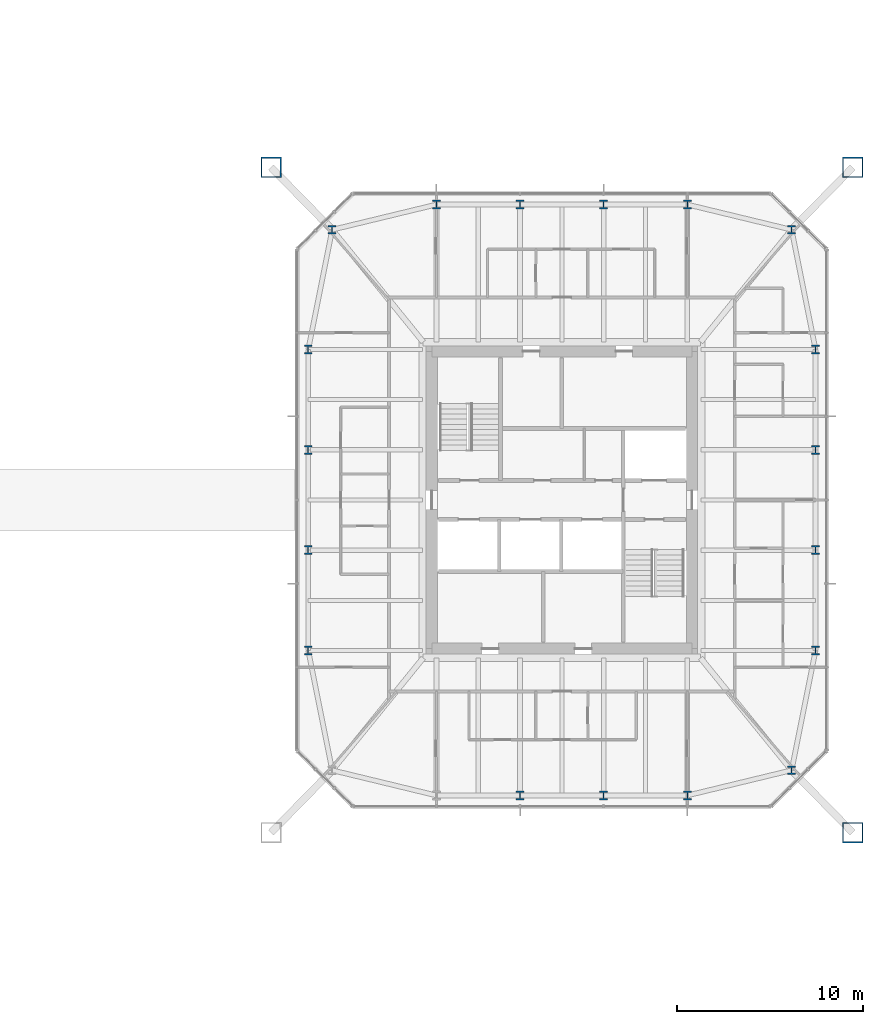
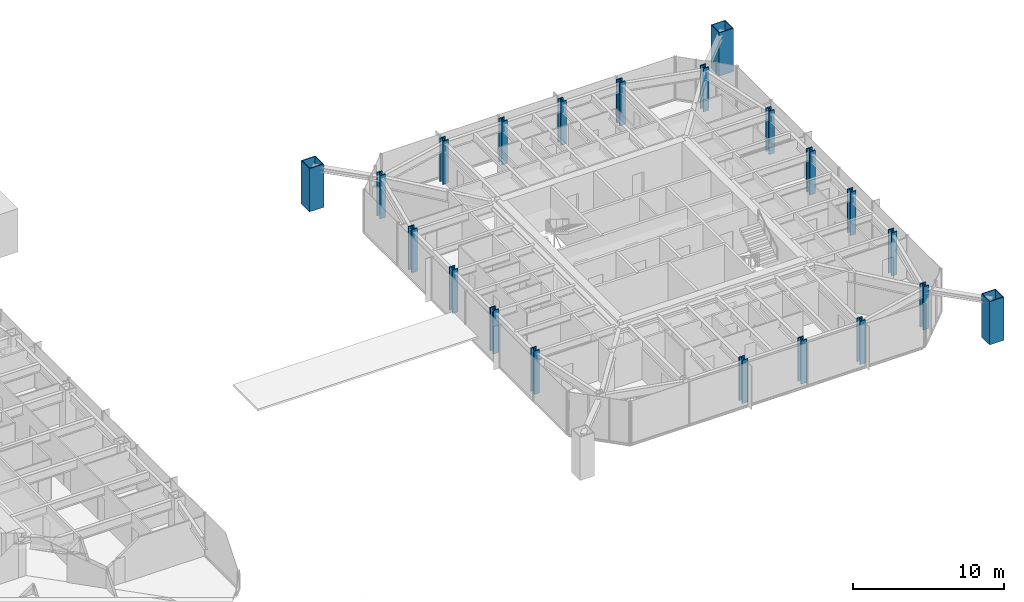
# One storey, part 2 of 25: 21 columns.
"""IFC4 building model written with IfcOpenShell, lengths in metres."""

from ifc_helpers import new_model, si_unit, direction, frame, origin, origin_2d, place, context, subcontext, project, spatial, hollow_rectangle, i_section, extrude, material, material_profile, profile_set, type_object, element, save


model = new_model("IFC4")

# Units and contexts
model_context = context("Model", 3, precision=1e-05, world=origin(), true_north=direction((0.0, 1.0)))
body_context = subcontext(model_context, "Body", "Model", "MODEL_VIEW")
ifc_project = project(units=[si_unit("LENGTHUNIT", "METRE"), si_unit("AREAUNIT", "SQUARE_METRE"), si_unit("VOLUMEUNIT", "CUBIC_METRE"), si_unit("PLANEANGLEUNIT", "RADIAN"), si_unit("MASSUNIT", "GRAM", prefix="KILO")], contexts=[model_context])

# Site, building, storey
site_placement = place(None, origin())
site = spatial("IfcSite", under=ifc_project, at=site_placement, CompositionType="ELEMENT")
building_placement = place(site_placement, origin())
building = spatial("IfcBuilding", under=site, at=building_placement, Name="Iwan Alto Co-Living Towers", CompositionType="ELEMENT")
storey_placement = place(building_placement, frame((0.0, 0.0, 101.5)))
storey = spatial("IfcBuildingStorey", under=building, at=storey_placement, Name="L27", CompositionType="ELEMENT", Elevation=101.5)

# Columns
ifc_material_1 = material(Name="Steel ASTM A572 Gr 50", Category="steel")
ifc_material_profile_1 = material_profile(ifc_material_1, hollow_rectangle(XDim=1.10009765625, YDim=1.10009765625, WallThickness=0.06005859375, at=origin_2d()), Name="BOX 1100X1100X60")
ifc_profile_set_1 = profile_set([ifc_material_profile_1], Name="Steel ASTM A572 Gr 50")
column_type_1 = type_object("IfcColumnType", Name="T2 MEGA COLUMN BOX 1100X1100X60", PredefinedType="COLUMN", material=ifc_profile_set_1)
for number, where, z_axis, x_axis, name in (
    (1, (78.64990234375, -17.89990234375, 0.0), (0.0, 0.0, 1.0), (1.0, 0.0, 0.0), "T2 mega column SE L27"),
    (2, (78.64990234375, 17.89990234375, 0.0), (0.0, 0.0, 1.0), (1.0, 0.0, 0.0), "T2 mega column NE L27"),
    (3, (47.35009765625, 17.89990234375, 0.0), (0.0, 0.0, 1.0), (1.0, 0.0, 0.0), "T2 mega column NW L27"),
):
    element("IfcColumn", number, at=place(storey_placement, frame(where, z_axis=z_axis, x_axis=x_axis)), inside=storey, type_object=column_type_1, Name=name, PredefinedType="COLUMN", context=body_context, shape_type="SweptSolid", body=[
        extrude(hollow_rectangle(XDim=1.10009765625, YDim=1.10009765625, WallThickness=0.06005859375, at=origin_2d()), origin(), (0.0, 0.0, 1.0), 3.5),
    ])
ifc_material_2 = material(Name="Steel ASTM A992 Gr 50", Category="steel")
ifc_material_profile_2 = material_profile(ifc_material_2, i_section(OverallWidth=0.4267578125, OverallDepth=0.482666015625, WebThickness=0.05126953125, FlangeThickness=0.08154296875, at=origin_2d()), Name="W14X455")
ifc_profile_set_2 = profile_set([ifc_material_profile_2], Name="Steel ASTM A992 Gr 50")
column_type_2 = type_object("IfcColumnType", Name="T2 RING COLUMN W14X455", PredefinedType="COLUMN", material=ifc_profile_set_2)
for number, where, z_axis, x_axis, name in (
    (4, (60.75, -15.89990234375, 0.0), (0.0, 0.0, 1.0), (1.0, 0.0, 0.0), "T2 ring column S2 L27"),
    (5, (65.25, -15.89990234375, 0.0), (0.0, 0.0, 1.0), (1.0, 0.0, 0.0), "T2 ring column S3 L27"),
    (6, (69.75, -15.89990234375, 0.0), (0.0, 0.0, 1.0), (1.0, 0.0, 0.0), "T2 ring column S4 L27"),
    (7, (75.361328125, -14.542724609375, 0.0), (0.0, 0.0, 1.0), (1.0, 0.0, 0.0), "T2 ring column CSE L27"),
    (8, (76.64990234375, -8.10009765625, 0.0), (0.0, 0.0, 1.0), (1.0, 0.0, 0.0), "T2 ring column E1 L27"),
    (9, (76.64990234375, -2.699951171875, 0.0), (0.0, 0.0, 1.0), (1.0, 0.0, 0.0), "T2 ring column E2 L27"),
    (10, (76.64990234375, 2.699951171875, 0.0), (0.0, 0.0, 1.0), (1.0, 0.0, 0.0), "T2 ring column E3 L27"),
    (11, (76.64990234375, 8.10009765625, 0.0), (0.0, 0.0, 1.0), (1.0, 0.0, 0.0), "T2 ring column E4 L27"),
    (12, (75.361328125, 14.542724609375, 0.0), (0.0, 0.0, 1.0), (1.0, 0.0, 0.0), "T2 ring column CNE L27"),
    (13, (69.75, 15.89990234375, 0.0), (0.0, 0.0, 1.0), (1.0, 0.0, 0.0), "T2 ring column N1 L27"),
    (14, (65.25, 15.89990234375, 0.0), (0.0, 0.0, 1.0), (1.0, 0.0, 0.0), "T2 ring column N2 L27"),
    (15, (60.75, 15.89990234375, 0.0), (0.0, 0.0, 1.0), (1.0, 0.0, 0.0), "T2 ring column N3 L27"),
    (16, (56.25, 15.89990234375, 0.0), (0.0, 0.0, 1.0), (1.0, 0.0, 0.0), "T2 ring column N4 L27"),
    (17, (50.638671875, 14.542724609375, 0.0), (0.0, 0.0, 1.0), (1.0, 0.0, 0.0), "T2 ring column CNW L27"),
    (18, (49.35009765625, 8.10009765625, 0.0), (0.0, 0.0, 1.0), (1.0, 0.0, 0.0), "T2 ring column W1 L27"),
    (19, (49.35009765625, 2.699951171875, 0.0), (0.0, 0.0, 1.0), (1.0, 0.0, 0.0), "T2 ring column W2 L27"),
    (20, (49.35009765625, -2.699951171875, 0.0), (0.0, 0.0, 1.0), (1.0, 0.0, 0.0), "T2 ring column W3 L27"),
    (21, (49.35009765625, -8.10009765625, 0.0), (0.0, 0.0, 1.0), (1.0, 0.0, 0.0), "T2 ring column W4 L27"),
):
    element("IfcColumn", number, at=place(storey_placement, frame(where, z_axis=z_axis, x_axis=x_axis)), inside=storey, type_object=column_type_2, Name=name, PredefinedType="COLUMN", context=body_context, shape_type="SweptSolid", body=[
        extrude(i_section(OverallWidth=0.4267578125, OverallDepth=0.482666015625, WebThickness=0.05126953125, FlangeThickness=0.08154296875, at=origin_2d()), origin(), (0.0, 0.0, 1.0), 3.5),
    ])

save(model, "model.ifc")
